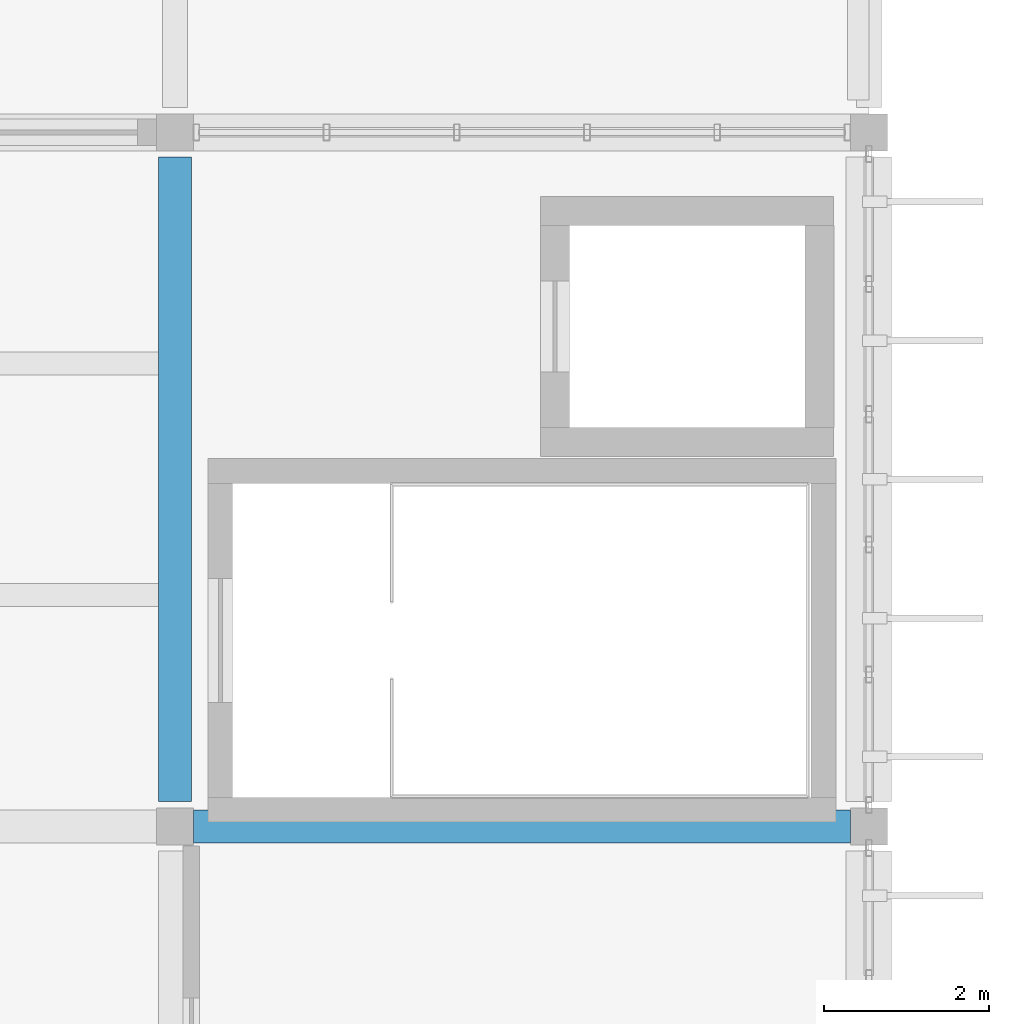
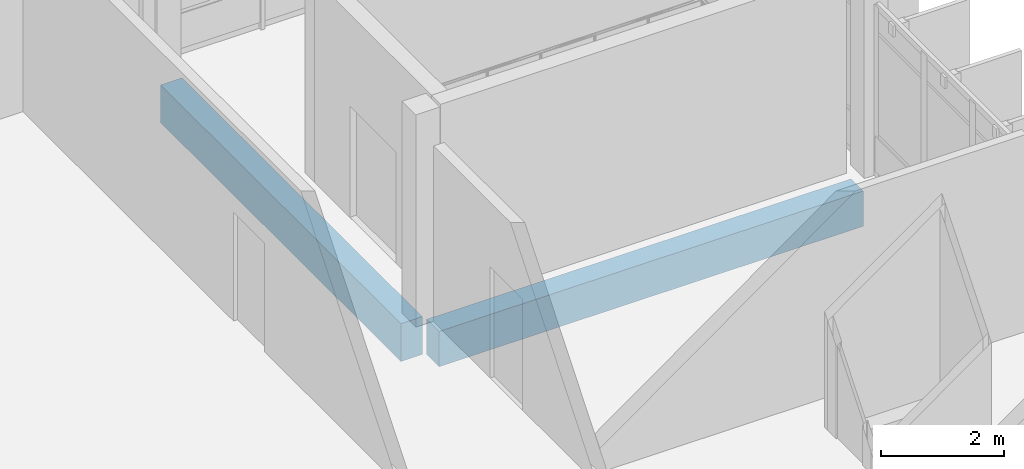
# One storey, part 25 of 62: 2 beams.
"""IFC4 building model written with IfcOpenShell, lengths in metres."""

import ifcopenshell
import ifcopenshell.guid

model = None  # the IFC model being written
_history = None  # IfcOwnerHistory: only IFC2X3 demands one
_inside = {}  # id of a spatial element -> (the spatial element, [elements in it])
_under = {}  # id of a project, library or spatial element -> (it, [spatial elements below it])
_declared = {}  # id of a project -> (the project, [libraries it declares])
_typed = {}  # id of a type object -> (the type object, [elements of that type])
_made_of = {}  # id of a material, layer set ... -> (it, [elements and type objects made of it])


def new_model(schema):
    """Start an empty IFC model of exactly this schema.

    Asked for "IFC4X3", IfcOpenShell would pick the latest addendum, in which some entities
    have other attributes; the version numbers below select the first issue.
    IFC2X3 requires an IfcOwnerHistory on every rooted entity: one is made here for all.
    """
    global model, _history
    if schema == "IFC4X3":
        model = ifcopenshell.file(schema_version=(4, 3, 0, 0))
    else:
        model = ifcopenshell.file(schema=schema)
    _inside.clear()
    _under.clear()
    _declared.clear()
    _typed.clear()
    _made_of.clear()
    _history = None
    if model.schema == "IFC2X3":
        org = make("IfcOrganization", Name="unknown")
        user = make(
            "IfcPersonAndOrganization",
            ThePerson=make("IfcPerson", FamilyName="unknown"),
            TheOrganization=org,
        )
        app = make(
            "IfcApplication",
            ApplicationDeveloper=org,
            Version="unknown",
            ApplicationFullName="unknown",
            ApplicationIdentifier="unknown",
        )
        _history = make(
            "IfcOwnerHistory",
            OwningUser=user,
            OwningApplication=app,
            ChangeAction="ADDED",
            CreationDate=0,
        )
    return model


def make(cls, **values):
    """One entity of the class cls with the attributes given. An attribute that is None is left unset."""
    return model.create_entity(
        cls, **{name: value for name, value in values.items() if value is not None}
    )


def rooted(cls, **values):
    """An entity with a GlobalId (a new one), such as an element, a storey or a relation."""
    return make(cls, GlobalId=ifcopenshell.guid.new(), OwnerHistory=_history, **values)


def si_unit(unit_type, name, prefix=None):
    """IfcSIUnit, for example si_unit("LENGTHUNIT", "METRE", prefix="MILLI")."""
    return make("IfcSIUnit", UnitType=unit_type, Prefix=prefix, Name=name)


def assignment(units):
    """IfcUnitAssignment: the units of a project."""
    return None if units is None else make("IfcUnitAssignment", Units=units)


def point(xyz):
    """IfcCartesianPoint."""
    return None if xyz is None else make("IfcCartesianPoint", Coordinates=xyz)


def direction(xyz):
    """IfcDirection."""
    return None if xyz is None else make("IfcDirection", DirectionRatios=xyz)


def frame(location, z_axis=None, x_axis=None):
    """IfcAxis2Placement3D, a coordinate frame: its origin and axes. An axis left out is left unset."""
    return make(
        "IfcAxis2Placement3D",
        Location=point(location),
        Axis=direction(z_axis),
        RefDirection=direction(x_axis),
    )


def frame_2d(location, x_axis=None):
    """IfcAxis2Placement2D, a coordinate frame in the plane: its origin and x axis."""
    return make(
        "IfcAxis2Placement2D", Location=point(location), RefDirection=direction(x_axis)
    )


def origin():
    """The frame at (0, 0, 0) with its axes left unset."""
    return frame((0.0, 0.0, 0.0))


def origin_2d():
    """The frame at (0, 0) in the plane with its x axis left unset."""
    return frame_2d((0.0, 0.0))


def place(relative_to, where):
    """IfcLocalPlacement: puts the frame where relative to a parent placement (None: the world)."""
    return make(
        "IfcLocalPlacement", PlacementRelTo=relative_to, RelativePlacement=where
    )


def context(
    kind, dimensions, precision=None, world=None, true_north=None, identifier=None
):
    """IfcGeometricRepresentationContext, for example the 3D "Model" context."""
    return make(
        "IfcGeometricRepresentationContext",
        ContextIdentifier=identifier,
        ContextType=kind,
        CoordinateSpaceDimension=dimensions,
        Precision=precision,
        WorldCoordinateSystem=world,
        TrueNorth=true_north,
    )


def subcontext(parent, identifier, kind, view, scale=None):
    """IfcGeometricRepresentationSubContext, for example "Body" below "Model"."""
    return make(
        "IfcGeometricRepresentationSubContext",
        ContextIdentifier=identifier,
        ContextType=kind,
        ParentContext=parent,
        TargetScale=scale,
        TargetView=view,
    )


def project(units=None, contexts=None):
    """IfcProject with its units and contexts."""
    return rooted(
        "IfcProject",
        Name="project",
        RepresentationContexts=contexts,
        UnitsInContext=assignment(units),
    )


def spatial(cls, under=None, at=None, **own):
    """A site, building, storey or space (cls), placed at a placement, below another one or the project."""
    s = rooted(cls, ObjectPlacement=at, **own)
    if under is not None:
        _under.setdefault(under.id(), (under, []))[1].append(s)
    return s


def profile(cls, at=None, kind="AREA", **sizes):
    """A parametric profile (cls). Its sizes go by their IFC names, for example OverallWidth=200.0."""
    return make(cls, ProfileType=kind, Position=at, **sizes)


def rectangle(**sizes):
    """IfcRectangleProfileDef."""
    return profile("IfcRectangleProfileDef", **sizes)


def extrude(swept, where, along, depth):
    """IfcExtrudedAreaSolid: the profile swept, set in the frame where, extruded along a direction by depth."""
    return make(
        "IfcExtrudedAreaSolid",
        SweptArea=swept,
        Position=where,
        ExtrudedDirection=direction(along),
        Depth=depth,
    )


def shape(context_of_items, identifier, shape_type, items):
    """IfcShapeRepresentation: the items that make up one representation, for example the "Body"."""
    return make(
        "IfcShapeRepresentation",
        ContextOfItems=context_of_items,
        RepresentationIdentifier=identifier,
        RepresentationType=shape_type,
        Items=items,
    )


def material(Name=None, Category=None):
    """IfcMaterial."""
    return make("IfcMaterial", Name=Name, Category=Category)


def material_profile(
    of_material, cross_section, Name=None, Category=None, Priority=None
):
    """IfcMaterialProfile: a cross section and its material."""
    return make(
        "IfcMaterialProfile",
        Name=Name,
        Material=of_material,
        Profile=cross_section,
        Priority=Priority,
        Category=Category,
    )


def profile_set(profiles, Name=None, composite=None):
    """IfcMaterialProfileSet."""
    return make(
        "IfcMaterialProfileSet",
        Name=Name,
        MaterialProfiles=profiles,
        CompositeProfile=composite,
    )


def made_of(thing, what):
    """Note that an element or type object is made of a material, layer set ...; save() writes the relation."""
    if what is not None:
        _made_of.setdefault(what.id(), (what, []))[1].append(thing)
    return thing


def type_object(cls, material=None, **own):
    """A type object (cls), such as IfcWallType, which elements share."""
    return made_of(rooted(cls, **own), material)


def element(
    cls,
    number,
    at=None,
    inside=None,
    cuts=None,
    type_object=None,
    material=None,
    context=None,
    identifier="Body",
    shape_type=None,
    held_by="IfcProductDefinitionShape",
    body=None,
    shapes=None,
    **own,
):
    """One element of the class cls, such as IfcWall. Its Tag is "e" and its number.

    at: its placement. inside: the storey or other place that contains it. cuts: it is an
    opening in that element (IfcRelVoidsElement). A single representation is given by context,
    identifier, shape_type and body (its items); several are given by shapes. held_by: the class
    of the entity that holds the representations. save() writes the other relations.
    """
    e = rooted(cls, Tag="e%d" % number, ObjectPlacement=at, **own)
    if body is not None:
        shapes = [shape(context, identifier, shape_type, body)]
    if shapes is not None:
        e.Representation = make(held_by, Representations=shapes)
    if inside is not None:
        _inside.setdefault(inside.id(), (inside, []))[1].append(e)
    if cuts is not None:
        rooted(
            "IfcRelVoidsElement", RelatingBuildingElement=cuts, RelatedOpeningElement=e
        )
    if type_object is not None:
        _typed.setdefault(type_object.id(), (type_object, []))[1].append(e)
    return made_of(e, material)


def aggregate(whole, parts):
    """IfcRelAggregates: a whole, such as a stair, and the parts it consists of."""
    return rooted("IfcRelAggregates", RelatingObject=whole, RelatedObjects=parts)


def save(model, path):
    """Write the relations noted so far, then the file.

    IfcRelAggregates (storeys below a building ...), IfcRelContainedInSpatialStructure (elements
    in a storey), IfcRelDefinesByType, IfcRelAssociatesMaterial and IfcRelDeclares: one each for
    every whole, place, type object, material and project.
    """
    for whole, parts in _under.values():
        aggregate(whole, parts)
    for where, things in _inside.values():
        rooted(
            "IfcRelContainedInSpatialStructure",
            RelatedElements=things,
            RelatingStructure=where,
        )
    for kind, things in _typed.values():
        rooted("IfcRelDefinesByType", RelatedObjects=things, RelatingType=kind)
    for what, things in _made_of.values():
        rooted("IfcRelAssociatesMaterial", RelatedObjects=things, RelatingMaterial=what)
    for by, libraries in _declared.values():
        rooted("IfcRelDeclares", RelatingContext=by, RelatedDefinitions=libraries)
    model.write(path)


model = new_model("IFC4")

# Units and contexts
model_context = context("Model", 3, precision=1e-05, world=origin(), true_north=direction((0.0, 1.0)))
body_context = subcontext(model_context, "Body", "Model", "MODEL_VIEW")
ifc_project = project(units=[si_unit("LENGTHUNIT", "METRE"), si_unit("AREAUNIT", "SQUARE_METRE"), si_unit("VOLUMEUNIT", "CUBIC_METRE"), si_unit("PLANEANGLEUNIT", "RADIAN"), si_unit("MASSUNIT", "GRAM", prefix="KILO")], contexts=[model_context])

# Site, building, storey
site_placement = place(None, origin())
site = spatial("IfcSite", under=ifc_project, at=site_placement, CompositionType="ELEMENT")
building_placement = place(site_placement, origin())
building = spatial("IfcBuilding", under=site, at=building_placement, Name="Vireocrest Preparatory School", CompositionType="ELEMENT")
storey_placement = place(building_placement, frame((0.0, 0.0, 17.39990234375)))
storey = spatial("IfcBuildingStorey", under=building, at=storey_placement, Name="L04", CompositionType="ELEMENT", Elevation=17.39990234375)

# Beams
ifc_material = material(Name="Concrete 40 MPa", Category="concrete")
ifc_material_profile_1 = material_profile(ifc_material, rectangle(XDim=0.39990234375, YDim=0.75, at=origin_2d()), Name="RC 400x750")
ifc_profile_set_1 = profile_set([ifc_material_profile_1], Name="Concrete 40 MPa")
beam_type_1 = type_object("IfcBeamType", Name="RC Commons Girder 400x750", PredefinedType="BEAM", material=ifc_profile_set_1)
beam_1_placement = place(storey_placement, frame((100.800048828125, 77.699951171875, -0.635009765625), z_axis=(0.0, 1.0, 0.0), x_axis=(-1.0, 0.0, 0.0)))
element("IfcBeam", 1, at=beam_1_placement, inside=storey, type_object=beam_type_1, Name="Primary Girder B09 L04-1406", PredefinedType="BEAM", context=body_context, shape_type="SweptSolid", body=[
    extrude(rectangle(XDim=0.39990234375, YDim=0.75, at=origin_2d()), origin(), (0.0, 0.0, 1.0), 7.800048828125),
])
ifc_material_profile_2 = material_profile(ifc_material, rectangle(XDim=0.39990234375, YDim=0.699951171875, at=origin_2d()), Name="RC 400x700")
ifc_profile_set_2 = profile_set([ifc_material_profile_2], Name="Concrete 40 MPa")
beam_type_2 = type_object("IfcBeamType", Name="RC Corridor Girder 400x700", PredefinedType="BEAM", material=ifc_profile_set_2)
beam_2_placement = place(storey_placement, frame((101.02490234375, 77.39990234375, -0.60986328125), z_axis=(1.0, 0.0, 0.0), x_axis=(0.0, 1.0, 0.0)))
element("IfcBeam", 2, at=beam_2_placement, inside=storey, type_object=beam_type_2, Name="Primary Girder B08 L04-1320", PredefinedType="BEAM", context=body_context, shape_type="SweptSolid", body=[
    extrude(rectangle(XDim=0.39990234375, YDim=0.699951171875, at=origin_2d()), origin(), (0.0, 0.0, 1.0), 7.9501953125),
])

save(model, "model.ifc")
